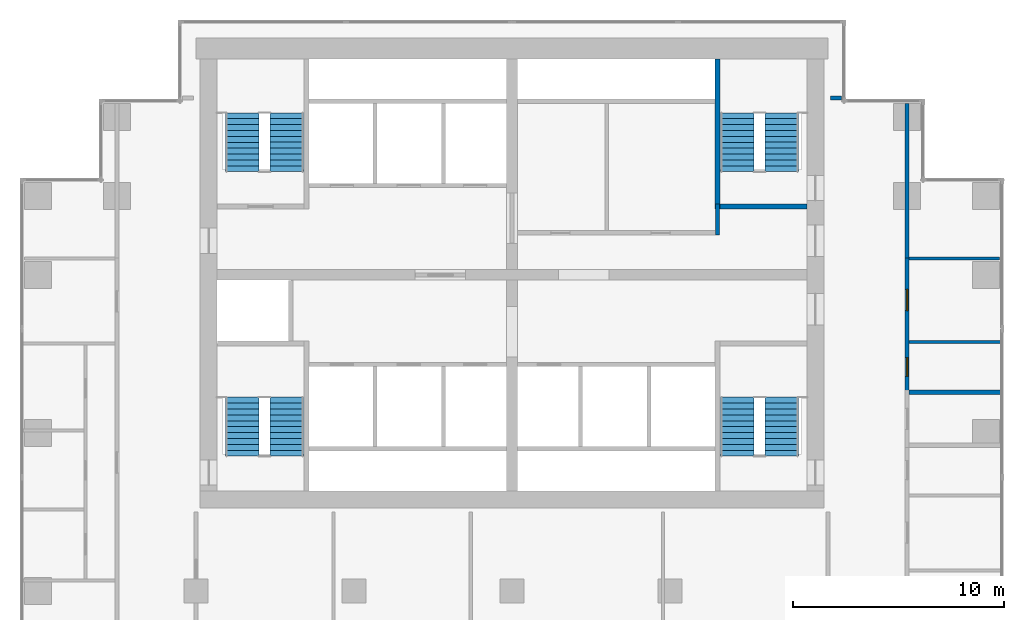
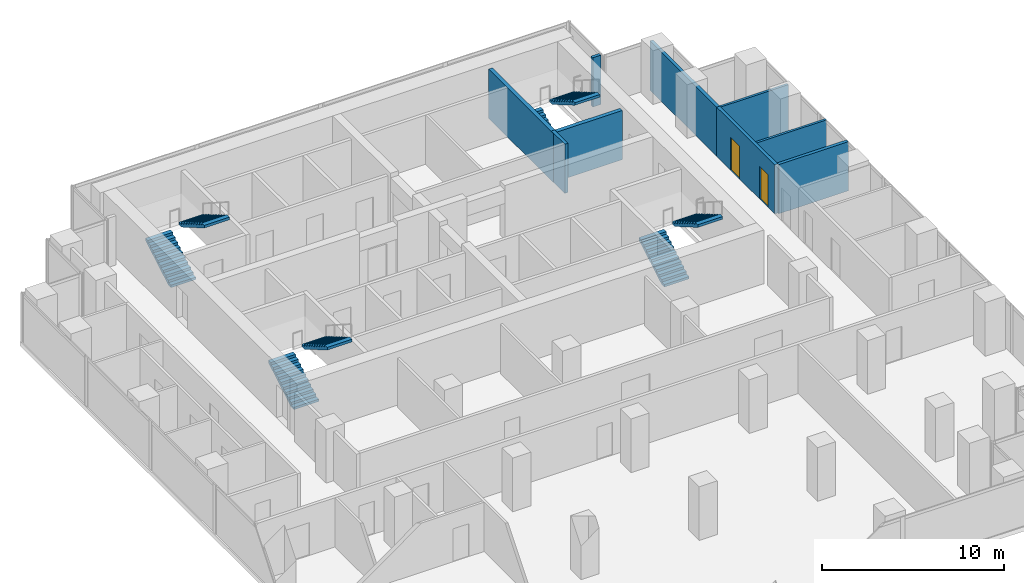
# One storey, part 9 of 10: 9 walls, 8 stair flights, 2 doors, 2 openings, 4 elements without a shape of their own.
"""IFC4 building model written with IfcOpenShell, lengths in metres."""

from ifc_helpers import new_model, si_unit, direction, frame, frame_2d, origin, place, context, subcontext, project, spatial, polyline, rectangle, outline, extrude, material, layer, layer_set, type_object, element, fill, aggregate, save


model = new_model("IFC4")

# Units and contexts
model_context = context("Model", 3, precision=1e-05, world=origin(), true_north=direction((0.0, 1.0)))
body_context = subcontext(model_context, "Body", "Model", "MODEL_VIEW")
ifc_project = project(units=[si_unit("LENGTHUNIT", "METRE"), si_unit("AREAUNIT", "SQUARE_METRE"), si_unit("VOLUMEUNIT", "CUBIC_METRE"), si_unit("PLANEANGLEUNIT", "RADIAN"), si_unit("MASSUNIT", "GRAM", prefix="KILO")], contexts=[model_context])

# Site, building, storey
site_placement = place(None, origin())
site = spatial("IfcSite", under=ifc_project, at=site_placement, CompositionType="ELEMENT")
building_placement = place(site_placement, origin())
building = spatial("IfcBuilding", under=site, at=building_placement, Name="Pilkhan Gate Tower", CompositionType="ELEMENT")
storey_placement = place(building_placement, frame((0.0, 0.0, 136.0)))
storey = spatial("IfcBuildingStorey", under=building, at=storey_placement, Name="L34", CompositionType="ELEMENT", Elevation=136.0)

# Wall
ifc_material_1 = material(Name="Dense blockwork", Category="masonry")
ifc_layer_1 = layer(ifc_material_1, 0.199951171875)
ifc_layer_set_1 = layer_set([ifc_layer_1], Name="Corridor wall FW200")
wall_type_1 = type_object("IfcWallType", Name="Corridor wall FW200", PredefinedType="PARTITIONING", material=ifc_layer_set_1)
wall_1_placement = place(storey_placement, frame((90.1201171875, 90.89990234375, 0.0), z_axis=(0.0, 0.0, 1.0), x_axis=(1.0, 0.0, 0.0)))
element("IfcWall", 1, at=wall_1_placement, inside=storey, type_object=wall_type_1, Name="Partition L34", PredefinedType="PARTITIONING", context=body_context, shape_type="SweptSolid", body=[
    extrude(rectangle(XDim=0.52490234375, YDim=0.199951171875, at=frame_2d((0.262451171875, 0.0))), origin(), (0.0, 0.0, 1.0), 3.300048828125),
])

# Wall, openings, doors
wall_2_placement = place(storey_placement, frame((93.75, 76.931884765625, 0.0), z_axis=(0.0, 0.0, 1.0), x_axis=(0.0, 1.0, 0.0)))
wall_2 = element("IfcWall", 2, at=wall_2_placement, inside=storey, type_object=wall_type_1, Name="Partition L34", PredefinedType="PARTITIONING", context=body_context, shape_type="SweptSolid", body=[
    extrude(rectangle(XDim=6.423095703125, YDim=0.199951171875, at=frame_2d((3.21142578125, 0.0))), origin(), (0.0, 0.0, 1.0), 3.300048828125),
])
opening_1_placement = place(wall_2_placement, frame((0.75, 0.0, 0.0)))
opening_1 = element("IfcOpeningElement", 3, at=opening_1_placement, cuts=wall_2, Name="Opening L34-27", PredefinedType="OPENING", context=body_context, shape_type="SweptSolid", body=[
    extrude(rectangle(XDim=0.89990234375, YDim=2.199951171875, at=frame_2d((0.449951171875, 1.10009765625))), frame((0.0, 0.10986328125, 0.0), z_axis=(0.0, -1.0, 0.0), x_axis=(1.0, 0.0, 0.0)), (0.0, 0.0, 1.0), 0.219970703125),
])
opening_2_placement = place(wall_2_placement, frame((3.8798828125, 0.0, 0.0)))
opening_2 = element("IfcOpeningElement", 4, at=opening_2_placement, cuts=wall_2, Name="Opening L34-28", PredefinedType="OPENING", context=body_context, shape_type="SweptSolid", body=[
    extrude(rectangle(XDim=1.0, YDim=2.199951171875, at=frame_2d((0.5, 1.10009765625))), frame((0.0, 0.10986328125, 0.0), z_axis=(0.0, -1.0, 0.0), x_axis=(1.0, 0.0, 0.0)), (0.0, 0.0, 1.0), 0.219970703125),
])
ifc_material_2 = material(Name="Timber flush door, 30 minute fire resisting", Category="wood")
door_type_1 = type_object("IfcDoorType", Name="Room door D03 1000x2200", OperationType="SINGLE_SWING_LEFT", PredefinedType="DOOR", material=ifc_material_2)
door_1_placement = place(opening_2_placement, origin())
door_1 = element("IfcDoor", 5, at=door_1_placement, inside=storey, type_object=door_type_1, Name="Room door", OperationType="SINGLE_SWING_LEFT", OverallHeight=2.199951171875, OverallWidth=1.0, PredefinedType="DOOR", context=body_context, shape_type="SweptSolid", body=[
    extrude(rectangle(XDim=1.0, YDim=2.199951171875, at=frame_2d((0.5, 1.10009765625))), frame((0.0, 0.02490234375, 0.0), z_axis=(0.0, -1.0, 0.0), x_axis=(1.0, 0.0, 0.0)), (0.0, 0.0, 1.0), 0.050048828125),
])
fill(opening_2, door_1)
ifc_material_3 = material(Name="Timber flush door, 60 minute fire resisting, self-closing", Category="wood")
door_type_2 = type_object("IfcDoorType", Name="Store door D05 900x2200", OperationType="SINGLE_SWING_LEFT", PredefinedType="DOOR", material=ifc_material_3)
door_2_placement = place(opening_1_placement, origin())
door_2 = element("IfcDoor", 6, at=door_2_placement, inside=storey, type_object=door_type_2, Name="Store door", OperationType="SINGLE_SWING_LEFT", OverallHeight=2.199951171875, OverallWidth=0.89990234375, PredefinedType="DOOR", context=body_context, shape_type="SweptSolid", body=[
    extrude(rectangle(XDim=0.89990234375, YDim=2.199951171875, at=frame_2d((0.449951171875, 1.10009765625))), frame((0.0, 0.02490234375, 0.0), z_axis=(0.0, -1.0, 0.0), x_axis=(1.0, 0.0, 0.0)), (0.0, 0.0, 1.0), 0.050048828125),
])
fill(opening_1, door_2)

# Walls
wall_3_placement = place(storey_placement, frame((93.75, 83.31005859375, 0.0), z_axis=(0.0, 0.0, 1.0), x_axis=(0.0, 1.0, 0.0)))
element("IfcWall", 7, at=wall_3_placement, inside=storey, type_object=wall_type_1, Name="Partition L34", PredefinedType="PARTITIONING", context=body_context, shape_type="SweptSolid", body=[
    extrude(rectangle(XDim=7.3349609375, YDim=0.199951171875, at=frame_2d((3.66748046875, 0.0))), origin(), (0.0, 0.0, 1.0), 3.300048828125),
])
ifc_layer_2 = layer(ifc_material_1, 0.199951171875)
ifc_layer_set_2 = layer_set([ifc_layer_2], Name="Lobby wall LW200")
wall_type_2 = type_object("IfcWallType", Name="Lobby wall LW200", PredefinedType="PARTITIONING", material=ifc_layer_set_2)
wall_4_placement = place(storey_placement, frame((93.85009765625, 76.931884765625, 0.0), z_axis=(0.0, 0.0, 1.0), x_axis=(1.0, 0.0, 0.0)))
element("IfcWall", 8, at=wall_4_placement, inside=storey, type_object=wall_type_2, Name="Partition L34", PredefinedType="PARTITIONING", context=body_context, shape_type="SweptSolid", body=[
    extrude(rectangle(XDim=4.414794921875, YDim=0.199951171875, at=frame_2d((2.20751953125, 0.0))), origin(), (0.0, 0.0, 1.0), 3.300048828125),
])
wall_5_placement = place(storey_placement, frame((84.75, 84.39990234375, 0.0), z_axis=(0.0, 0.0, 1.0), x_axis=(0.0, 1.0, 0.0)))
element("IfcWall", 9, at=wall_5_placement, inside=storey, type_object=wall_type_2, Name="Partition L34", PredefinedType="PARTITIONING", context=body_context, shape_type="SweptSolid", body=[
    extrude(rectangle(XDim=1.47509765625, YDim=0.199951171875, at=frame_2d((0.737548828125, 0.0))), origin(), (0.0, 0.0, 1.0), 3.300048828125),
])
ifc_material_4 = material(Name="Blockwork partition, plastered both sides", Category="masonry")
ifc_layer_3 = layer(ifc_material_4, 0.14990234375)
ifc_layer_set_3 = layer_set([ifc_layer_3], Name="Partition PW150")
wall_type_3 = type_object("IfcWallType", Name="Partition PW150", PredefinedType="PARTITIONING", material=ifc_layer_set_3)
wall_6_placement = place(storey_placement, frame((93.85009765625, 79.31201171875, 0.0), z_axis=(0.0, 0.0, 1.0), x_axis=(1.0, 0.0, 0.0)))
element("IfcWall", 10, at=wall_6_placement, inside=storey, type_object=wall_type_3, Name="Partition L34", PredefinedType="PARTITIONING", context=body_context, shape_type="SweptSolid", body=[
    extrude(rectangle(XDim=4.414794921875, YDim=0.14990234375, at=frame_2d((2.20751953125, 0.0))), origin(), (0.0, 0.0, 1.0), 3.300048828125),
])
wall_7_placement = place(storey_placement, frame((93.85009765625, 83.280029296875, 0.0), z_axis=(0.0, 0.0, 1.0), x_axis=(1.0, 0.0, 0.0)))
element("IfcWall", 11, at=wall_7_placement, inside=storey, type_object=wall_type_3, Name="Partition L34", PredefinedType="PARTITIONING", context=body_context, shape_type="SweptSolid", body=[
    extrude(rectangle(XDim=4.294921875, YDim=0.14990234375, at=frame_2d((2.1474609375, 0.0))), origin(), (0.0, 0.0, 1.0), 3.300048828125),
])
ifc_material_5 = material(Name="Reinforced blockwork, 120 minute fire resisting", Category="masonry")
ifc_layer_4 = layer(ifc_material_5, 0.25)
ifc_layer_set_4 = layer_set([ifc_layer_4], Name="Stair enclosure wall SE250")
wall_type_4 = type_object("IfcWallType", Name="Stair enclosure wall SE250", PredefinedType="PARTITIONING", material=ifc_layer_set_4)
wall_8_placement = place(storey_placement, frame((84.875, 85.75, 0.0), z_axis=(0.0, 0.0, 1.0), x_axis=(1.0, 0.0, 0.0)))
element("IfcWall", 12, at=wall_8_placement, inside=storey, type_object=wall_type_4, Name="Partition L34", PredefinedType="PARTITIONING", context=body_context, shape_type="SweptSolid", body=[
    extrude(rectangle(XDim=4.125, YDim=0.25, at=frame_2d((2.0625, 0.0))), origin(), (0.0, 0.0, 1.0), 3.300048828125),
])
wall_9_placement = place(storey_placement, frame((84.75, 85.625, 0.0), z_axis=(0.0, 0.0, 1.0), x_axis=(0.0, 1.0, 0.0)))
element("IfcWall", 13, at=wall_9_placement, inside=storey, type_object=wall_type_4, Name="Partition L34", PredefinedType="PARTITIONING", context=body_context, shape_type="SweptSolid", body=[
    extrude(rectangle(XDim=7.114990234375, YDim=0.25, at=frame_2d((3.5576171875, 0.0))), origin(), (0.0, 0.0, 1.0), 3.300048828125),
])

# Stair, stair flights
ifc_material_6 = material(Name="Concrete C40/50 precast", Category="concrete")
stair_type_1 = type_object("IfcStairType", Name="Stair ST1 164x280", PredefinedType="HALF_TURN_STAIR", material=ifc_material_6)
stair_1_placement = place(storey_placement, origin())
stair_1 = element("IfcStair", 14, at=stair_1_placement, inside=storey, type_object=stair_type_1, Name="Stair ST1 L34", PredefinedType="HALF_TURN_STAIR")
stair_flight_type_1 = type_object("IfcStairFlightType", Name="Stair flight ST1 164x280x11", PredefinedType="STRAIGHT", material=ifc_material_6)
stair_flight_1_placement = place(storey_placement, frame((85.68994140625, 73.89990234375, 0.0), z_axis=(0.0, 0.0, 1.0), x_axis=(0.0, 1.0, 0.0)))
stair_flight_1 = element("IfcStairFlight", 15, at=stair_flight_1_placement, type_object=stair_flight_type_1, Name="ST1 flight 1", NumberOfRisers=11, NumberOfTreads=10, PredefinedType="STRAIGHT", RiserHeight=0.163636364, TreadLength=0.28, context=body_context, shape_type="SweptSolid", body=[
    extrude(outline(polyline([(0.0, 0.0), (0.0, 0.16357421875), (0.280029296875, 0.16357421875), (0.280029296875, 0.327392578125), (0.56005859375, 0.327392578125), (0.56005859375, 0.490966796875), (0.840087890625, 0.490966796875), (0.840087890625, 0.654541015625), (1.1201171875, 0.654541015625), (1.1201171875, 0.818115234375), (1.39990234375, 0.818115234375), (1.39990234375, 0.98193359375), (1.679931640625, 0.98193359375), (1.679931640625, 1.1455078125), (1.9599609375, 1.1455078125), (1.9599609375, 1.30908203125), (2.239990234375, 1.30908203125), (2.239990234375, 1.47265625), (2.52001953125, 1.47265625), (2.52001953125, 1.636474609375), (2.800048828125, 1.636474609375), (2.800048828125, 1.800048828125), (2.800048828125, 1.462646484375), (0.297119140625, 0.0), (0.0, 0.0)])), frame((0.0, 0.7900390625, 0.0), z_axis=(0.0, -1.0, 0.0), x_axis=(1.0, 0.0, 0.0)), (0.0, 0.0, 1.0), 1.580078125),
])
stair_flight_2_placement = place(storey_placement, frame((87.81005859375, 76.699951171875, 1.800048828125), z_axis=(0.0, 0.0, 1.0), x_axis=(0.0, -1.0, 0.0)))
stair_flight_2 = element("IfcStairFlight", 16, at=stair_flight_2_placement, type_object=stair_flight_type_1, Name="ST1 flight 2", NumberOfRisers=11, NumberOfTreads=10, PredefinedType="STRAIGHT", RiserHeight=0.163636364, TreadLength=0.28, context=body_context, shape_type="SweptSolid", body=[
    extrude(outline(polyline([(0.0, 0.0), (0.0, 0.16357421875), (0.280029296875, 0.16357421875), (0.280029296875, 0.327392578125), (0.56005859375, 0.327392578125), (0.56005859375, 0.490966796875), (0.840087890625, 0.490966796875), (0.840087890625, 0.654541015625), (1.1201171875, 0.654541015625), (1.1201171875, 0.818115234375), (1.39990234375, 0.818115234375), (1.39990234375, 0.98193359375), (1.679931640625, 0.98193359375), (1.679931640625, 1.1455078125), (1.9599609375, 1.1455078125), (1.9599609375, 1.30908203125), (2.239990234375, 1.30908203125), (2.239990234375, 1.47265625), (2.52001953125, 1.47265625), (2.52001953125, 1.636474609375), (2.800048828125, 1.636474609375), (2.800048828125, 1.800048828125), (2.800048828125, 1.462646484375), (0.297119140625, 0.0), (0.0, 0.0)])), frame((0.0, 0.7900390625, 0.0), z_axis=(0.0, -1.0, 0.0), x_axis=(1.0, 0.0, 0.0)), (0.0, 0.0, 1.0), 1.580078125),
])
aggregate(stair_1, [stair_flight_1, stair_flight_2])

stair_type_2 = type_object("IfcStairType", Name="Stair ST2 164x280", PredefinedType="HALF_TURN_STAIR", material=ifc_material_6)
stair_2_placement = place(storey_placement, origin())
stair_2 = element("IfcStair", 17, at=stair_2_placement, inside=storey, type_object=stair_type_2, Name="Stair ST2 L34", PredefinedType="HALF_TURN_STAIR")
stair_flight_type_2 = type_object("IfcStairFlightType", Name="Stair flight ST2 164x280x11", PredefinedType="STRAIGHT", material=ifc_material_6)
stair_flight_3_placement = place(storey_placement, frame((62.18994140625, 73.89990234375, 0.0), z_axis=(0.0, 0.0, 1.0), x_axis=(0.0, 1.0, 0.0)))
stair_flight_3 = element("IfcStairFlight", 18, at=stair_flight_3_placement, type_object=stair_flight_type_2, Name="ST2 flight 1", NumberOfRisers=11, NumberOfTreads=10, PredefinedType="STRAIGHT", RiserHeight=0.163636364, TreadLength=0.28, context=body_context, shape_type="SweptSolid", body=[
    extrude(outline(polyline([(0.0, 0.0), (0.0, 0.16357421875), (0.280029296875, 0.16357421875), (0.280029296875, 0.327392578125), (0.56005859375, 0.327392578125), (0.56005859375, 0.490966796875), (0.840087890625, 0.490966796875), (0.840087890625, 0.654541015625), (1.1201171875, 0.654541015625), (1.1201171875, 0.818115234375), (1.39990234375, 0.818115234375), (1.39990234375, 0.98193359375), (1.679931640625, 0.98193359375), (1.679931640625, 1.1455078125), (1.9599609375, 1.1455078125), (1.9599609375, 1.30908203125), (2.239990234375, 1.30908203125), (2.239990234375, 1.47265625), (2.52001953125, 1.47265625), (2.52001953125, 1.636474609375), (2.800048828125, 1.636474609375), (2.800048828125, 1.800048828125), (2.800048828125, 1.462646484375), (0.297119140625, 0.0), (0.0, 0.0)])), frame((0.0, 0.7900390625, 0.0), z_axis=(0.0, -1.0, 0.0), x_axis=(1.0, 0.0, 0.0)), (0.0, 0.0, 1.0), 1.580078125),
])
stair_flight_4_placement = place(storey_placement, frame((64.31005859375, 76.699951171875, 1.800048828125), z_axis=(0.0, 0.0, 1.0), x_axis=(0.0, -1.0, 0.0)))
stair_flight_4 = element("IfcStairFlight", 19, at=stair_flight_4_placement, type_object=stair_flight_type_2, Name="ST2 flight 2", NumberOfRisers=11, NumberOfTreads=10, PredefinedType="STRAIGHT", RiserHeight=0.163636364, TreadLength=0.28, context=body_context, shape_type="SweptSolid", body=[
    extrude(outline(polyline([(0.0, 0.0), (0.0, 0.16357421875), (0.280029296875, 0.16357421875), (0.280029296875, 0.327392578125), (0.56005859375, 0.327392578125), (0.56005859375, 0.490966796875), (0.840087890625, 0.490966796875), (0.840087890625, 0.654541015625), (1.1201171875, 0.654541015625), (1.1201171875, 0.818115234375), (1.39990234375, 0.818115234375), (1.39990234375, 0.98193359375), (1.679931640625, 0.98193359375), (1.679931640625, 1.1455078125), (1.9599609375, 1.1455078125), (1.9599609375, 1.30908203125), (2.239990234375, 1.30908203125), (2.239990234375, 1.47265625), (2.52001953125, 1.47265625), (2.52001953125, 1.636474609375), (2.800048828125, 1.636474609375), (2.800048828125, 1.800048828125), (2.800048828125, 1.462646484375), (0.297119140625, 0.0), (0.0, 0.0)])), frame((0.0, 0.7900390625, 0.0), z_axis=(0.0, -1.0, 0.0), x_axis=(1.0, 0.0, 0.0)), (0.0, 0.0, 1.0), 1.580078125),
])
aggregate(stair_2, [stair_flight_3, stair_flight_4])

stair_type_3 = type_object("IfcStairType", Name="Stair ST3 164x280", PredefinedType="HALF_TURN_STAIR", material=ifc_material_6)
stair_3_placement = place(storey_placement, origin())
stair_3 = element("IfcStair", 20, at=stair_3_placement, inside=storey, type_object=stair_type_3, Name="Stair ST3 L34", PredefinedType="HALF_TURN_STAIR")
stair_flight_type_3 = type_object("IfcStairFlightType", Name="Stair flight ST3 164x280x11", PredefinedType="STRAIGHT", material=ifc_material_6)
stair_flight_5_placement = place(storey_placement, frame((62.18994140625, 87.39990234375, 0.0), z_axis=(0.0, 0.0, 1.0), x_axis=(0.0, 1.0, 0.0)))
stair_flight_5 = element("IfcStairFlight", 21, at=stair_flight_5_placement, type_object=stair_flight_type_3, Name="ST3 flight 1", NumberOfRisers=11, NumberOfTreads=10, PredefinedType="STRAIGHT", RiserHeight=0.163636364, TreadLength=0.28, context=body_context, shape_type="SweptSolid", body=[
    extrude(outline(polyline([(0.0, 0.0), (0.0, 0.16357421875), (0.280029296875, 0.16357421875), (0.280029296875, 0.327392578125), (0.56005859375, 0.327392578125), (0.56005859375, 0.490966796875), (0.840087890625, 0.490966796875), (0.840087890625, 0.654541015625), (1.1201171875, 0.654541015625), (1.1201171875, 0.818115234375), (1.39990234375, 0.818115234375), (1.39990234375, 0.98193359375), (1.679931640625, 0.98193359375), (1.679931640625, 1.1455078125), (1.9599609375, 1.1455078125), (1.9599609375, 1.30908203125), (2.239990234375, 1.30908203125), (2.239990234375, 1.47265625), (2.52001953125, 1.47265625), (2.52001953125, 1.636474609375), (2.800048828125, 1.636474609375), (2.800048828125, 1.800048828125), (2.800048828125, 1.462646484375), (0.297119140625, 0.0), (0.0, 0.0)])), frame((0.0, 0.7900390625, 0.0), z_axis=(0.0, -1.0, 0.0), x_axis=(1.0, 0.0, 0.0)), (0.0, 0.0, 1.0), 1.580078125),
])
stair_flight_6_placement = place(storey_placement, frame((64.31005859375, 90.199951171875, 1.800048828125), z_axis=(0.0, 0.0, 1.0), x_axis=(0.0, -1.0, 0.0)))
stair_flight_6 = element("IfcStairFlight", 22, at=stair_flight_6_placement, type_object=stair_flight_type_3, Name="ST3 flight 2", NumberOfRisers=11, NumberOfTreads=10, PredefinedType="STRAIGHT", RiserHeight=0.163636364, TreadLength=0.28, context=body_context, shape_type="SweptSolid", body=[
    extrude(outline(polyline([(0.0, 0.0), (0.0, 0.16357421875), (0.280029296875, 0.16357421875), (0.280029296875, 0.327392578125), (0.56005859375, 0.327392578125), (0.56005859375, 0.490966796875), (0.840087890625, 0.490966796875), (0.840087890625, 0.654541015625), (1.1201171875, 0.654541015625), (1.1201171875, 0.818115234375), (1.39990234375, 0.818115234375), (1.39990234375, 0.98193359375), (1.679931640625, 0.98193359375), (1.679931640625, 1.1455078125), (1.9599609375, 1.1455078125), (1.9599609375, 1.30908203125), (2.239990234375, 1.30908203125), (2.239990234375, 1.47265625), (2.52001953125, 1.47265625), (2.52001953125, 1.636474609375), (2.800048828125, 1.636474609375), (2.800048828125, 1.800048828125), (2.800048828125, 1.462646484375), (0.297119140625, 0.0), (0.0, 0.0)])), frame((0.0, 0.7900390625, 0.0), z_axis=(0.0, -1.0, 0.0), x_axis=(1.0, 0.0, 0.0)), (0.0, 0.0, 1.0), 1.580078125),
])
aggregate(stair_3, [stair_flight_5, stair_flight_6])

stair_type_4 = type_object("IfcStairType", Name="Stair ST4 164x280", PredefinedType="HALF_TURN_STAIR", material=ifc_material_6)
stair_4_placement = place(storey_placement, origin())
stair_4 = element("IfcStair", 23, at=stair_4_placement, inside=storey, type_object=stair_type_4, Name="Stair ST4 L34", PredefinedType="HALF_TURN_STAIR")
stair_flight_type_4 = type_object("IfcStairFlightType", Name="Stair flight ST4 164x280x11", PredefinedType="STRAIGHT", material=ifc_material_6)
stair_flight_7_placement = place(storey_placement, frame((85.68994140625, 87.39990234375, 0.0), z_axis=(0.0, 0.0, 1.0), x_axis=(0.0, 1.0, 0.0)))
stair_flight_7 = element("IfcStairFlight", 24, at=stair_flight_7_placement, type_object=stair_flight_type_4, Name="ST4 flight 1", NumberOfRisers=11, NumberOfTreads=10, PredefinedType="STRAIGHT", RiserHeight=0.163636364, TreadLength=0.28, context=body_context, shape_type="SweptSolid", body=[
    extrude(outline(polyline([(0.0, 0.0), (0.0, 0.16357421875), (0.280029296875, 0.16357421875), (0.280029296875, 0.327392578125), (0.56005859375, 0.327392578125), (0.56005859375, 0.490966796875), (0.840087890625, 0.490966796875), (0.840087890625, 0.654541015625), (1.1201171875, 0.654541015625), (1.1201171875, 0.818115234375), (1.39990234375, 0.818115234375), (1.39990234375, 0.98193359375), (1.679931640625, 0.98193359375), (1.679931640625, 1.1455078125), (1.9599609375, 1.1455078125), (1.9599609375, 1.30908203125), (2.239990234375, 1.30908203125), (2.239990234375, 1.47265625), (2.52001953125, 1.47265625), (2.52001953125, 1.636474609375), (2.800048828125, 1.636474609375), (2.800048828125, 1.800048828125), (2.800048828125, 1.462646484375), (0.297119140625, 0.0), (0.0, 0.0)])), frame((0.0, 0.7900390625, 0.0), z_axis=(0.0, -1.0, 0.0), x_axis=(1.0, 0.0, 0.0)), (0.0, 0.0, 1.0), 1.580078125),
])
stair_flight_8_placement = place(storey_placement, frame((87.81005859375, 90.199951171875, 1.800048828125), z_axis=(0.0, 0.0, 1.0), x_axis=(0.0, -1.0, 0.0)))
stair_flight_8 = element("IfcStairFlight", 25, at=stair_flight_8_placement, type_object=stair_flight_type_4, Name="ST4 flight 2", NumberOfRisers=11, NumberOfTreads=10, PredefinedType="STRAIGHT", RiserHeight=0.163636364, TreadLength=0.28, context=body_context, shape_type="SweptSolid", body=[
    extrude(outline(polyline([(0.0, 0.0), (0.0, 0.16357421875), (0.280029296875, 0.16357421875), (0.280029296875, 0.327392578125), (0.56005859375, 0.327392578125), (0.56005859375, 0.490966796875), (0.840087890625, 0.490966796875), (0.840087890625, 0.654541015625), (1.1201171875, 0.654541015625), (1.1201171875, 0.818115234375), (1.39990234375, 0.818115234375), (1.39990234375, 0.98193359375), (1.679931640625, 0.98193359375), (1.679931640625, 1.1455078125), (1.9599609375, 1.1455078125), (1.9599609375, 1.30908203125), (2.239990234375, 1.30908203125), (2.239990234375, 1.47265625), (2.52001953125, 1.47265625), (2.52001953125, 1.636474609375), (2.800048828125, 1.636474609375), (2.800048828125, 1.800048828125), (2.800048828125, 1.462646484375), (0.297119140625, 0.0), (0.0, 0.0)])), frame((0.0, 0.7900390625, 0.0), z_axis=(0.0, -1.0, 0.0), x_axis=(1.0, 0.0, 0.0)), (0.0, 0.0, 1.0), 1.580078125),
])
aggregate(stair_4, [stair_flight_7, stair_flight_8])

save(model, "model.ifc")
